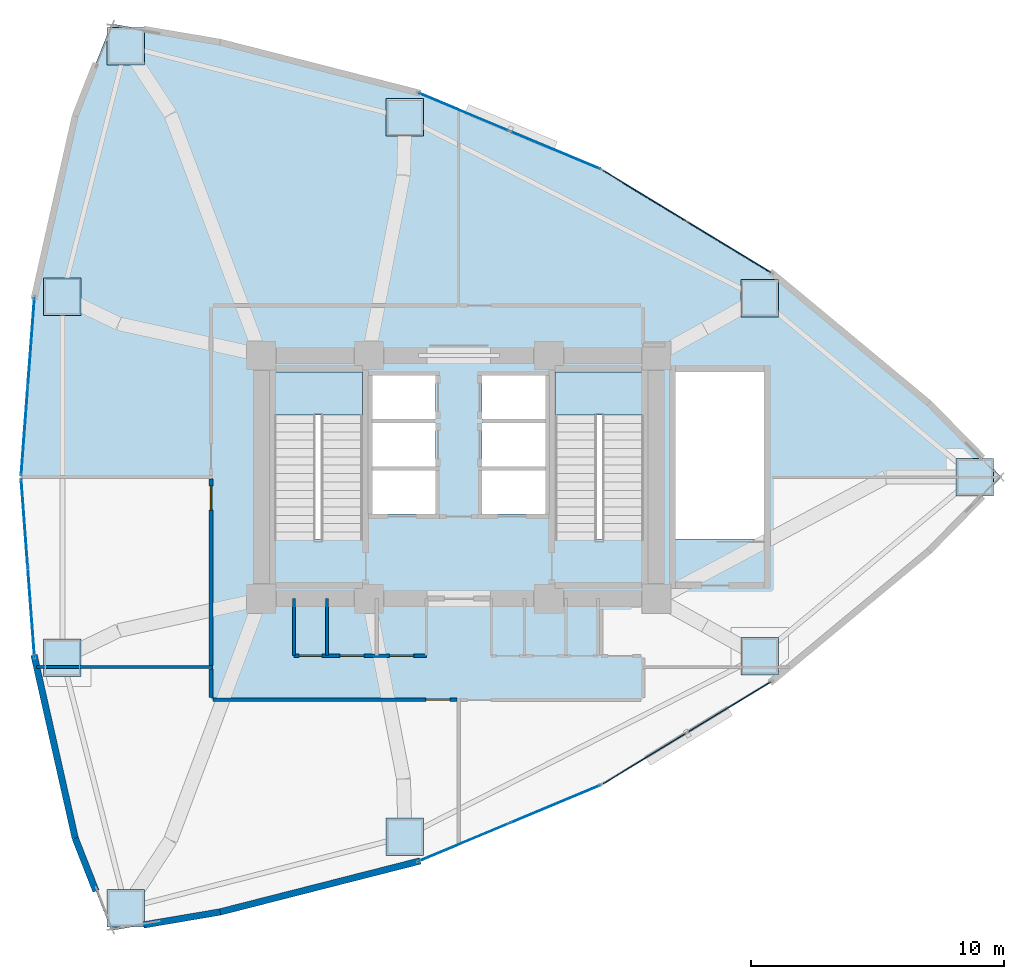
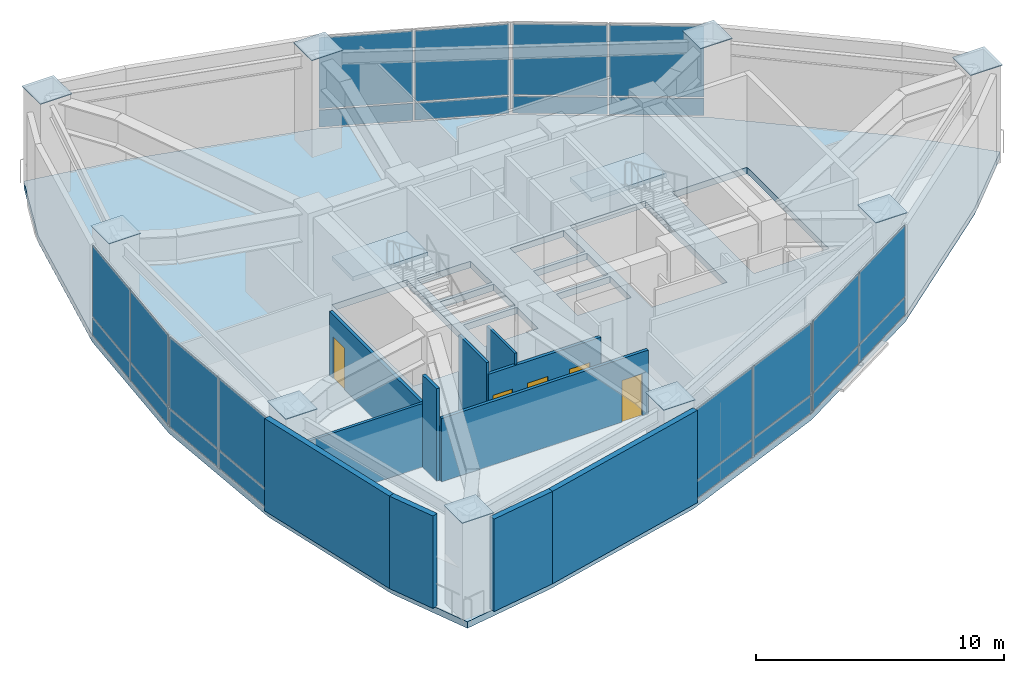
# One storey, part 15 of 19: 33 plates, 11 walls, 5 doors, 3 slabs, 5 openings, 8 elements without a shape of their own.
"""IFC4 building model written with IfcOpenShell, lengths in metres."""

from ifc_helpers import new_model, si_unit, direction, frame, frame_2d, origin, origin_2d, place, context, subcontext, project, spatial, polyline, rectangle, outline, extrude, material, layer, layer_set, type_object, element, fill, aggregate, save


model = new_model("IFC4")

# Units and contexts
model_context = context("Model", 3, precision=1e-05, world=origin(), true_north=direction((0.0, 1.0)))
body_context = subcontext(model_context, "Body", "Model", "MODEL_VIEW")
ifc_project = project(units=[si_unit("LENGTHUNIT", "METRE"), si_unit("AREAUNIT", "SQUARE_METRE"), si_unit("VOLUMEUNIT", "CUBIC_METRE"), si_unit("PLANEANGLEUNIT", "RADIAN"), si_unit("MASSUNIT", "GRAM", prefix="KILO")], contexts=[model_context])

# Site, building, storey
site_placement = place(None, origin())
site = spatial("IfcSite", under=ifc_project, at=site_placement, CompositionType="ELEMENT")
building_placement = place(site_placement, origin())
building = spatial("IfcBuilding", under=site, at=building_placement, Name="Menara Vayukalpa", CompositionType="ELEMENT")
storey_placement = place(building_placement, frame((0.0, 0.0, 22.800048828125)))
storey = spatial("IfcBuildingStorey", under=building, at=storey_placement, Name="L04", CompositionType="ELEMENT", Elevation=22.800048828125)

# Curtain wall, plates
ifc_material_1 = material(Name="Anodised Terracotta Aluminium Alloy 6063-T6", Category="masonry")
ifc_layer_1 = layer(ifc_material_1, 0.179931640625)
ifc_layer_set_1 = layer_set([ifc_layer_1], Name="Anodised Terracotta Aluminium Alloy 6063-T6")
curtain_wall_type = type_object("IfcCurtainWallType", Name="CW-CW1", PredefinedType="USERDEFINED", material=ifc_layer_set_1)
curtain_wall_1_placement = place(storey_placement, origin())
curtain_wall_1 = element("IfcCurtainWall", 1, at=curtain_wall_1_placement, inside=storey, type_object=curtain_wall_type, Name="L04 Podium Unitised Ribbon Curtain Wall CW1 04", ObjectType="UNITISED", PredefinedType="USERDEFINED")
ifc_material_2 = material(Name="Low-E Double Glazing", Category="glass")
ifc_layer_2 = layer(ifc_material_2, 0.035888671875)
ifc_layer_set_2 = layer_set([ifc_layer_2], Name="Low-E Double Glazing")
plate_type_1 = type_object("IfcPlateType", Name="CWP-CW1", PredefinedType="CURTAIN_PANEL", material=ifc_layer_set_2)
plate_1_placement = place(storey_placement, frame((36.274169921875, 31.083251953125, 0.074951171875), z_axis=(0.0, 0.0, 1.0), x_axis=(-0.854664994604, 0.519179879231, 0.0)))
plate_1 = element("IfcPlate", 2, at=plate_1_placement, type_object=plate_type_1, Name="CW1 panel 1.1", PredefinedType="CURTAIN_PANEL", context=body_context, shape_type="SweptSolid", body=[
    extrude(rectangle(XDim=3.825927734375, YDim=0.035888671875, at=origin_2d()), origin(), (0.0, 0.0, 1.0), 0.83740234375),
])
plate_2_placement = place(storey_placement, frame((36.274169921875, 31.083251953125, 0.9873046875), z_axis=(0.0, 0.0, 1.0), x_axis=(-0.854664994604, 0.519179879231, 0.0)))
plate_2 = element("IfcPlate", 3, at=plate_2_placement, type_object=plate_type_1, Name="CW1 panel 1.2", PredefinedType="CURTAIN_PANEL", context=body_context, shape_type="SweptSolid", body=[
    extrude(rectangle(XDim=3.825927734375, YDim=0.035888671875, at=origin_2d()), origin(), (0.0, 0.0, 1.0), 3.487548828125),
])
plate_3_placement = place(storey_placement, frame((32.940185546875, 33.1083984375, 0.074951171875), z_axis=(0.0, 0.0, 1.0), x_axis=(-0.854664994604, 0.519179879231, 0.0)))
plate_3 = element("IfcPlate", 4, at=plate_3_placement, type_object=plate_type_1, Name="CW1 panel 2.1", PredefinedType="CURTAIN_PANEL", context=body_context, shape_type="SweptSolid", body=[
    extrude(rectangle(XDim=3.825927734375, YDim=0.035888671875, at=origin_2d()), origin(), (0.0, 0.0, 1.0), 0.83740234375),
])
plate_4_placement = place(storey_placement, frame((32.940185546875, 33.1083984375, 0.9873046875), z_axis=(0.0, 0.0, 1.0), x_axis=(-0.854664994604, 0.519179879231, 0.0)))
plate_4 = element("IfcPlate", 5, at=plate_4_placement, type_object=plate_type_1, Name="CW1 panel 2.2", PredefinedType="CURTAIN_PANEL", context=body_context, shape_type="SweptSolid", body=[
    extrude(rectangle(XDim=3.825927734375, YDim=0.035888671875, at=origin_2d()), origin(), (0.0, 0.0, 1.0), 3.487548828125),
])
aggregate(curtain_wall_1, [plate_1, plate_2, plate_3, plate_4])

curtain_wall_2_placement = place(storey_placement, origin())
curtain_wall_2 = element("IfcCurtainWall", 6, at=curtain_wall_2_placement, inside=storey, type_object=curtain_wall_type, Name="L04 Podium Unitised Ribbon Curtain Wall CW1 05", ObjectType="UNITISED", PredefinedType="USERDEFINED")
plate_5_placement = place(storey_placement, frame((29.407470703125, 34.90771484375, 0.074951171875), z_axis=(0.0, 0.0, 1.0), x_axis=(-0.922544543499, 0.385890613077, 0.0)))
plate_5 = element("IfcPlate", 7, at=plate_5_placement, type_object=plate_type_1, Name="CW1 panel 1.1", PredefinedType="CURTAIN_PANEL", context=body_context, shape_type="SweptSolid", body=[
    extrude(rectangle(XDim=3.82568359375, YDim=0.035888671875, at=origin_2d()), origin(), (0.0, 0.0, 1.0), 0.83740234375),
])
plate_6_placement = place(storey_placement, frame((29.407470703125, 34.90771484375, 0.9873046875), z_axis=(0.0, 0.0, 1.0), x_axis=(-0.922544543499, 0.385890613077, 0.0)))
plate_6 = element("IfcPlate", 8, at=plate_6_placement, type_object=plate_type_1, Name="CW1 panel 1.2", PredefinedType="CURTAIN_PANEL", context=body_context, shape_type="SweptSolid", body=[
    extrude(rectangle(XDim=3.82568359375, YDim=0.035888671875, at=origin_2d()), origin(), (0.0, 0.0, 1.0), 3.487548828125),
])
plate_7_placement = place(storey_placement, frame((25.808837890625, 36.412841796875, 0.074951171875), z_axis=(0.0, 0.0, 1.0), x_axis=(-0.922544543499, 0.385890613077, 0.0)))
plate_7 = element("IfcPlate", 9, at=plate_7_placement, type_object=plate_type_1, Name="CW1 panel 2.1", PredefinedType="CURTAIN_PANEL", context=body_context, shape_type="SweptSolid", body=[
    extrude(rectangle(XDim=3.82568359375, YDim=0.035888671875, at=origin_2d()), origin(), (0.0, 0.0, 1.0), 0.83740234375),
])
plate_8_placement = place(storey_placement, frame((25.808837890625, 36.412841796875, 0.9873046875), z_axis=(0.0, 0.0, 1.0), x_axis=(-0.922544543499, 0.385890613077, 0.0)))
plate_8 = element("IfcPlate", 10, at=plate_8_placement, type_object=plate_type_1, Name="CW1 panel 2.2", PredefinedType="CURTAIN_PANEL", context=body_context, shape_type="SweptSolid", body=[
    extrude(rectangle(XDim=3.82568359375, YDim=0.035888671875, at=origin_2d()), origin(), (0.0, 0.0, 1.0), 3.487548828125),
])
aggregate(curtain_wall_2, [plate_5, plate_6, plate_7, plate_8])

curtain_wall_3_placement = place(storey_placement, origin())
curtain_wall_3 = element("IfcCurtainWall", 11, at=curtain_wall_3_placement, inside=storey, type_object=curtain_wall_type, Name="L04 Podium Unitised Ribbon Curtain Wall CW1 10", ObjectType="UNITISED", PredefinedType="USERDEFINED")
plate_9_placement = place(storey_placement, frame((8.717041015625, 27.327880859375, 0.074951171875), z_axis=(0.0, 0.0, 1.0), x_axis=(-0.074794468953, -0.997198970825, 0.0)))
plate_9 = element("IfcPlate", 12, at=plate_9_placement, type_object=plate_type_1, Name="CW1 panel 1.1", PredefinedType="CURTAIN_PANEL", context=body_context, shape_type="SweptSolid", body=[
    extrude(rectangle(XDim=3.4619140625, YDim=0.035888671875, at=origin_2d()), origin(), (0.0, 0.0, 1.0), 0.83740234375),
])
plate_10_placement = place(storey_placement, frame((8.717041015625, 27.327880859375, 0.9873046875), z_axis=(0.0, 0.0, 1.0), x_axis=(-0.074794468953, -0.997198970825, 0.0)))
plate_10 = element("IfcPlate", 13, at=plate_10_placement, type_object=plate_type_1, Name="CW1 panel 1.2", PredefinedType="CURTAIN_PANEL", context=body_context, shape_type="SweptSolid", body=[
    extrude(rectangle(XDim=3.4619140625, YDim=0.035888671875, at=origin_2d()), origin(), (0.0, 0.0, 1.0), 3.487548828125),
])
plate_11_placement = place(storey_placement, frame((8.452392578125, 23.801025390625, 0.074951171875), z_axis=(0.0, 0.0, 1.0), x_axis=(-0.074794468953, -0.997198970825, 0.0)))
plate_11 = element("IfcPlate", 14, at=plate_11_placement, type_object=plate_type_1, Name="CW1 panel 2.1", PredefinedType="CURTAIN_PANEL", context=body_context, shape_type="SweptSolid", body=[
    extrude(rectangle(XDim=3.4619140625, YDim=0.035888671875, at=origin_2d()), origin(), (0.0, 0.0, 1.0), 0.83740234375),
])
plate_12_placement = place(storey_placement, frame((8.452392578125, 23.801025390625, 0.9873046875), z_axis=(0.0, 0.0, 1.0), x_axis=(-0.074794468953, -0.997198970825, 0.0)))
plate_12 = element("IfcPlate", 15, at=plate_12_placement, type_object=plate_type_1, Name="CW1 panel 2.2", PredefinedType="CURTAIN_PANEL", context=body_context, shape_type="SweptSolid", body=[
    extrude(rectangle(XDim=3.4619140625, YDim=0.035888671875, at=origin_2d()), origin(), (0.0, 0.0, 1.0), 3.487548828125),
])
aggregate(curtain_wall_3, [plate_9, plate_10, plate_11, plate_12])

curtain_wall_4_placement = place(storey_placement, origin())
curtain_wall_4 = element("IfcCurtainWall", 16, at=curtain_wall_4_placement, inside=storey, type_object=curtain_wall_type, Name="L04 Podium Unitised Ribbon Curtain Wall CW1 11", ObjectType="UNITISED", PredefinedType="USERDEFINED")
plate_13_placement = place(storey_placement, frame((8.452392578125, 20.198974609375, 0.074951171875), z_axis=(0.0, 0.0, 1.0), x_axis=(0.074794468953, -0.997198970825, 0.0)))
plate_13 = element("IfcPlate", 17, at=plate_13_placement, type_object=plate_type_1, Name="CW1 panel 1.1", PredefinedType="CURTAIN_PANEL", context=body_context, shape_type="SweptSolid", body=[
    extrude(rectangle(XDim=3.4619140625, YDim=0.035888671875, at=origin_2d()), origin(), (0.0, 0.0, 1.0), 0.83740234375),
])
plate_14_placement = place(storey_placement, frame((8.452392578125, 20.198974609375, 0.9873046875), z_axis=(0.0, 0.0, 1.0), x_axis=(0.074794468953, -0.997198970825, 0.0)))
plate_14 = element("IfcPlate", 18, at=plate_14_placement, type_object=plate_type_1, Name="CW1 panel 1.2", PredefinedType="CURTAIN_PANEL", context=body_context, shape_type="SweptSolid", body=[
    extrude(rectangle(XDim=3.4619140625, YDim=0.035888671875, at=origin_2d()), origin(), (0.0, 0.0, 1.0), 3.487548828125),
])
plate_15_placement = place(storey_placement, frame((8.717041015625, 16.672119140625, 0.074951171875), z_axis=(0.0, 0.0, 1.0), x_axis=(0.074794468953, -0.997198970825, 0.0)))
plate_15 = element("IfcPlate", 19, at=plate_15_placement, type_object=plate_type_1, Name="CW1 panel 2.1", PredefinedType="CURTAIN_PANEL", context=body_context, shape_type="SweptSolid", body=[
    extrude(rectangle(XDim=3.4619140625, YDim=0.035888671875, at=origin_2d()), origin(), (0.0, 0.0, 1.0), 0.83740234375),
])
plate_16_placement = place(storey_placement, frame((8.717041015625, 16.672119140625, 0.9873046875), z_axis=(0.0, 0.0, 1.0), x_axis=(0.074794468953, -0.997198970825, 0.0)))
plate_16 = element("IfcPlate", 20, at=plate_16_placement, type_object=plate_type_1, Name="CW1 panel 2.2", PredefinedType="CURTAIN_PANEL", context=body_context, shape_type="SweptSolid", body=[
    extrude(rectangle(XDim=3.4619140625, YDim=0.035888671875, at=origin_2d()), origin(), (0.0, 0.0, 1.0), 3.487548828125),
])
aggregate(curtain_wall_4, [plate_13, plate_14, plate_15, plate_16])

curtain_wall_5_placement = place(storey_placement, origin())
curtain_wall_5 = element("IfcCurtainWall", 21, at=curtain_wall_5_placement, inside=storey, type_object=curtain_wall_type, Name="L04 Podium Unitised Ribbon Curtain Wall CW1 16", ObjectType="UNITISED", PredefinedType="USERDEFINED")
plate_17_placement = place(storey_placement, frame((25.808837890625, 7.587158203125, 0.074951171875), z_axis=(0.0, 0.0, 1.0), x_axis=(0.922544543499, 0.385890613077, 0.0)))
plate_17 = element("IfcPlate", 22, at=plate_17_placement, type_object=plate_type_1, Name="CW1 panel 1.1", PredefinedType="CURTAIN_PANEL", context=body_context, shape_type="SweptSolid", body=[
    extrude(rectangle(XDim=3.82568359375, YDim=0.035888671875, at=origin_2d()), origin(), (0.0, 0.0, 1.0), 0.83740234375),
])
plate_18_placement = place(storey_placement, frame((25.808837890625, 7.587158203125, 0.9873046875), z_axis=(0.0, 0.0, 1.0), x_axis=(0.922544543499, 0.385890613077, 0.0)))
plate_18 = element("IfcPlate", 23, at=plate_18_placement, type_object=plate_type_1, Name="CW1 panel 1.2", PredefinedType="CURTAIN_PANEL", context=body_context, shape_type="SweptSolid", body=[
    extrude(rectangle(XDim=3.82568359375, YDim=0.035888671875, at=origin_2d()), origin(), (0.0, 0.0, 1.0), 3.487548828125),
])
plate_19_placement = place(storey_placement, frame((29.407470703125, 9.09228515625, 0.074951171875), z_axis=(0.0, 0.0, 1.0), x_axis=(0.922544543499, 0.385890613077, 0.0)))
plate_19 = element("IfcPlate", 24, at=plate_19_placement, type_object=plate_type_1, Name="CW1 panel 2.1", PredefinedType="CURTAIN_PANEL", context=body_context, shape_type="SweptSolid", body=[
    extrude(rectangle(XDim=3.82568359375, YDim=0.035888671875, at=origin_2d()), origin(), (0.0, 0.0, 1.0), 0.83740234375),
])
plate_20_placement = place(storey_placement, frame((29.407470703125, 9.09228515625, 0.9873046875), z_axis=(0.0, 0.0, 1.0), x_axis=(0.922544543499, 0.385890613077, 0.0)))
plate_20 = element("IfcPlate", 25, at=plate_20_placement, type_object=plate_type_1, Name="CW1 panel 2.2", PredefinedType="CURTAIN_PANEL", context=body_context, shape_type="SweptSolid", body=[
    extrude(rectangle(XDim=3.82568359375, YDim=0.035888671875, at=origin_2d()), origin(), (0.0, 0.0, 1.0), 3.487548828125),
])
aggregate(curtain_wall_5, [plate_17, plate_18, plate_19, plate_20])

curtain_wall_6_placement = place(storey_placement, origin())
curtain_wall_6 = element("IfcCurtainWall", 26, at=curtain_wall_6_placement, inside=storey, type_object=curtain_wall_type, Name="L04 Podium Unitised Ribbon Curtain Wall CW1 17", ObjectType="UNITISED", PredefinedType="USERDEFINED")
plate_21_placement = place(storey_placement, frame((32.940185546875, 10.8916015625, 0.074951171875), z_axis=(0.0, 0.0, 1.0), x_axis=(0.854664994604, 0.519179879231, 0.0)))
plate_21 = element("IfcPlate", 27, at=plate_21_placement, type_object=plate_type_1, Name="CW1 panel 1.1", PredefinedType="CURTAIN_PANEL", context=body_context, shape_type="SweptSolid", body=[
    extrude(rectangle(XDim=3.825927734375, YDim=0.035888671875, at=origin_2d()), origin(), (0.0, 0.0, 1.0), 0.83740234375),
])
plate_22_placement = place(storey_placement, frame((32.940185546875, 10.8916015625, 0.9873046875), z_axis=(0.0, 0.0, 1.0), x_axis=(0.854664994604, 0.519179879231, 0.0)))
plate_22 = element("IfcPlate", 28, at=plate_22_placement, type_object=plate_type_1, Name="CW1 panel 1.2", PredefinedType="CURTAIN_PANEL", context=body_context, shape_type="SweptSolid", body=[
    extrude(rectangle(XDim=3.825927734375, YDim=0.035888671875, at=origin_2d()), origin(), (0.0, 0.0, 1.0), 3.487548828125),
])
plate_23_placement = place(storey_placement, frame((36.274169921875, 12.916748046875, 0.074951171875), z_axis=(0.0, 0.0, 1.0), x_axis=(0.854664994604, 0.519179879231, 0.0)))
plate_23 = element("IfcPlate", 29, at=plate_23_placement, type_object=plate_type_1, Name="CW1 panel 2.1", PredefinedType="CURTAIN_PANEL", context=body_context, shape_type="SweptSolid", body=[
    extrude(rectangle(XDim=3.825927734375, YDim=0.035888671875, at=origin_2d()), origin(), (0.0, 0.0, 1.0), 0.83740234375),
])
plate_24_placement = place(storey_placement, frame((36.274169921875, 12.916748046875, 0.9873046875), z_axis=(0.0, 0.0, 1.0), x_axis=(0.854664994604, 0.519179879231, 0.0)))
plate_24 = element("IfcPlate", 30, at=plate_24_placement, type_object=plate_type_1, Name="CW1 panel 2.2", PredefinedType="CURTAIN_PANEL", context=body_context, shape_type="SweptSolid", body=[
    extrude(rectangle(XDim=3.825927734375, YDim=0.035888671875, at=origin_2d()), origin(), (0.0, 0.0, 1.0), 3.487548828125),
])
aggregate(curtain_wall_6, [plate_21, plate_22, plate_23, plate_24])

# Plates
ifc_material_3 = material(Name="Steel S355", Category="steel")
ifc_layer_3 = layer(ifc_material_3, 0.034912109375)
ifc_layer_set_3 = layer_set([ifc_layer_3], Name="Steel S355")
plate_type_2 = type_object("IfcPlateType", Name="PLT-MCP1", PredefinedType="USERDEFINED", material=ifc_layer_set_3)
for number, where, z_axis, x_axis, name in (
    (31, (45.979248046875, 22.0, 4.7998046875), (0.0, 0.0, 1.0), (1.0, 0.0, 0.0), "L04 Perimeter Mega Column P01 Cap Plate"),
    (32, (37.47412109375, 29.07080078125, 4.7998046875), (0.0, 0.0, 1.0), (1.0, 0.0, 0.0), "L04 Perimeter Mega Column P02 Cap Plate"),
    (33, (23.4755859375, 36.19970703125, 4.7998046875), (0.0, 0.0, 1.0), (1.0, 0.0, 0.0), "L04 Perimeter Mega Column P03 Cap Plate"),
    (34, (12.46044921875, 39.01904296875, 4.7998046875), (0.0, 0.0, 1.0), (1.0, 0.0, 0.0), "L04 Perimeter Mega Column P04 Cap Plate"),
    (35, (9.951904296875, 29.12890625, 4.7998046875), (0.0, 0.0, 1.0), (1.0, 0.0, 0.0), "L04 Perimeter Mega Column P05 Cap Plate"),
    (36, (9.951904296875, 14.87109375, 4.7998046875), (0.0, 0.0, 1.0), (1.0, 0.0, 0.0), "L04 Perimeter Mega Column P06 Cap Plate"),
    (37, (12.46044921875, 4.98095703125, 4.7998046875), (0.0, 0.0, 1.0), (1.0, 0.0, 0.0), "L04 Perimeter Mega Column P07 Cap Plate"),
    (38, (23.4755859375, 7.80029296875, 4.7998046875), (0.0, 0.0, 1.0), (1.0, 0.0, 0.0), "L04 Perimeter Mega Column P08 Cap Plate"),
    (39, (37.47412109375, 14.92919921875, 4.7998046875), (0.0, 0.0, 1.0), (1.0, 0.0, 0.0), "L04 Perimeter Mega Column P09 Cap Plate"),
):
    element("IfcPlate", number, at=place(storey_placement, frame(where, z_axis=z_axis, x_axis=x_axis)), inside=storey, type_object=plate_type_2, Name=name, ObjectType="CAP_PLATE", PredefinedType="USERDEFINED", context=body_context, shape_type="SweptSolid", body=[
        extrude(rectangle(XDim=1.47998046875, YDim=1.47998046875, at=origin_2d()), origin(), (0.0, 0.0, 1.0), 0.034912109375),
    ])

# Slab
ifc_material_4 = material(Name="Concrete C45/55", Category="concrete")
ifc_layer_4 = layer(ifc_material_4, 0.320068359375)
ifc_layer_set_4 = layer_set([ifc_layer_4], Name="Concrete C45/55")
slab_type_1 = type_object("IfcSlabType", Name="SLB-FL320", PredefinedType="FLOOR", material=ifc_layer_set_4)
slab_1_placement = place(storey_placement, frame((0.0, 0.0, -0.320068359375)))
element("IfcSlab", 40, at=slab_1_placement, inside=storey, type_object=slab_type_1, Name="L04 Structural Floor Slab", PredefinedType="FLOOR", context=body_context, shape_type="SweptSolid", body=[
    extrude(outline(polyline([(44.17041015625, 19.088134765625), (47.029296875, 22.0), (44.17041015625, 24.911865234375), (37.97314453125, 30.051025390625), (31.2412109375, 34.140380859375), (23.974853515625, 37.179931640625), (16.173583984375, 39.169677734375), (11.885498046875, 39.8974609375), (10.4560546875, 36.2578125), (8.85205078125, 29.12890625), (8.3173828125, 22.0), (8.85205078125, 14.87109375), (10.4560546875, 7.7421875), (11.885498046875, 4.1025390625), (16.173583984375, 4.830322265625), (23.974853515625, 6.820068359375), (31.2412109375, 9.859619140625), (37.97314453125, 13.948974609375), (44.17041015625, 19.088134765625)]), holes=[polyline([(21.800048828125, 19.550048828125), (21.800048828125, 26.14990234375), (18.300048828125, 26.14990234375), (18.300048828125, 19.550048828125), (21.800048828125, 19.550048828125)]), polyline([(32.89990234375, 19.550048828125), (32.89990234375, 26.14990234375), (29.39990234375, 26.14990234375), (29.39990234375, 19.550048828125), (32.89990234375, 19.550048828125)]), polyline([(37.64990234375, 19.550048828125), (37.64990234375, 26.14990234375), (34.14990234375, 26.14990234375), (34.14990234375, 19.550048828125), (37.64990234375, 19.550048828125)]), polyline([(22.179931640625, 20.550048828125), (24.679931640625, 20.550048828125), (24.679931640625, 22.27001953125), (22.179931640625, 22.27001953125), (22.179931640625, 20.550048828125)]), polyline([(26.52001953125, 20.550048828125), (29.02001953125, 20.550048828125), (29.02001953125, 22.27001953125), (26.52001953125, 22.27001953125), (26.52001953125, 20.550048828125)]), polyline([(22.179931640625, 22.419921875), (24.679931640625, 22.419921875), (24.679931640625, 24.139892578125), (22.179931640625, 24.139892578125), (22.179931640625, 22.419921875)]), polyline([(22.179931640625, 24.2900390625), (24.679931640625, 24.2900390625), (24.679931640625, 26.010009765625), (22.179931640625, 26.010009765625), (22.179931640625, 24.2900390625)]), polyline([(26.52001953125, 24.2900390625), (29.02001953125, 24.2900390625), (29.02001953125, 26.010009765625), (26.52001953125, 26.010009765625), (26.52001953125, 24.2900390625)]), polyline([(26.52001953125, 22.419921875), (29.02001953125, 22.419921875), (29.02001953125, 24.139892578125), (26.52001953125, 24.139892578125), (26.52001953125, 22.419921875)])]), origin(), (0.0, 0.0, 1.0), 0.320068359375),
])

# Stair, slab
ifc_material_5 = material(Name="Precast Concrete C40/50", Category="concrete")
stair_type = type_object("IfcStairType", Name="STR-T01", PredefinedType="DOUBLE_RETURN_STAIR", material=ifc_material_5)
stair_1_placement = place(storey_placement, origin())
stair_1 = element("IfcStair", 41, at=stair_1_placement, inside=storey, type_object=stair_type, Name="L04 Core Exit Stair ST-1", PredefinedType="DOUBLE_RETURN_STAIR")
ifc_material_6 = material(Name="Precast Concrete C40/50", Category="concrete")
ifc_layer_5 = layer(ifc_material_6, 0.199951171875)
ifc_layer_set_5 = layer_set([ifc_layer_5], Name="Precast Concrete C40/50")
slab_type_2 = type_object("IfcSlabType", Name="SLB-LND200", PredefinedType="LANDING", material=ifc_layer_set_5)
slab_2_placement = place(storey_placement, frame((0.0, 0.0, 2.199951171875)))
slab_2 = element("IfcSlab", 42, at=slab_2_placement, type_object=slab_type_2, Name="ST-1 landing 1", PredefinedType="LANDING", context=body_context, shape_type="SweptSolid", body=[
    extrude(outline(polyline([(21.800048828125, 24.449951171875), (21.800048828125, 26.14990234375), (18.300048828125, 26.14990234375), (18.300048828125, 24.449951171875), (21.800048828125, 24.449951171875)])), origin(), (0.0, 0.0, 1.0), 0.199951171875),
])
aggregate(stair_1, [slab_2])

stair_2_placement = place(storey_placement, origin())
stair_2 = element("IfcStair", 43, at=stair_2_placement, inside=storey, type_object=stair_type, Name="L04 Core Exit Stair ST-2", PredefinedType="DOUBLE_RETURN_STAIR")
slab_3_placement = place(storey_placement, frame((0.0, 0.0, 2.199951171875)))
slab_3 = element("IfcSlab", 44, at=slab_3_placement, type_object=slab_type_2, Name="ST-2 landing 1", PredefinedType="LANDING", context=body_context, shape_type="SweptSolid", body=[
    extrude(outline(polyline([(32.89990234375, 24.449951171875), (32.89990234375, 26.14990234375), (29.39990234375, 26.14990234375), (29.39990234375, 24.449951171875), (32.89990234375, 24.449951171875)])), origin(), (0.0, 0.0, 1.0), 0.199951171875),
])
aggregate(stair_2, [slab_3])

# Walls
ifc_material_7 = material(Name="Insulated Precast Concrete C40/50", Category="concrete")
ifc_layer_6 = layer(ifc_material_7, 0.260009765625)
ifc_layer_set_6 = layer_set([ifc_layer_6], Name="Insulated Precast Concrete C40/50")
wall_type_1 = type_object("IfcWallType", Name="WAL-EXT260", PredefinedType="PARTITIONING", material=ifc_layer_set_6)
wall_1_placement = place(storey_placement, frame((10.4560546875, 7.7421875, 0.0), z_axis=(0.0, 0.0, 1.0), x_axis=(-0.219512195122, 0.975609756098, 0.0)))
element("IfcWall", 45, at=wall_1_placement, inside=storey, type_object=wall_type_1, Name="L04 Perimeter Terracotta Pier Wall 12", PredefinedType="PARTITIONING", context=body_context, shape_type="SweptSolid", body=[
    extrude(rectangle(XDim=7.417236328125, YDim=0.260009765625, at=frame_2d((3.70849609375, 0.0))), origin(), (0.0, 0.0, 1.0), 4.550048828125),
])
wall_2_placement = place(storey_placement, frame((11.27587890625, 5.654541015625, 0.0), z_axis=(0.0, 0.0, 1.0), x_axis=(-0.365527759733, 0.930800438797, 0.0)))
element("IfcWall", 46, at=wall_2_placement, inside=storey, type_object=wall_type_1, Name="L04 Perimeter Terracotta Pier Wall 13", PredefinedType="PARTITIONING", context=body_context, shape_type="SweptSolid", body=[
    extrude(rectangle(XDim=2.242919921875, YDim=0.260009765625, at=frame_2d((1.12158203125, 0.0))), origin(), (0.0, 0.0, 1.0), 4.550048828125),
])
wall_3_placement = place(storey_placement, frame((16.179443359375, 4.831298828125, 0.0), z_axis=(0.0, 0.0, 1.0), x_axis=(-0.985905166387, -0.167305119144, 0.0)))
element("IfcWall", 47, at=wall_3_placement, inside=storey, type_object=wall_type_1, Name="L04 Perimeter Terracotta Pier Wall 14", PredefinedType="PARTITIONING", context=body_context, shape_type="SweptSolid", body=[
    extrude(rectangle(XDim=3.064453125, YDim=0.260009765625, at=frame_2d((1.5322265625, 0.0))), origin(), (0.0, 0.0, 1.0), 4.550048828125),
])
wall_4_placement = place(storey_placement, frame((24.081298828125, 6.84716796875, 0.0), z_axis=(0.0, 0.0, 1.0), x_axis=(-0.968981557045, -0.247133045354, 0.0)))
element("IfcWall", 48, at=wall_4_placement, inside=storey, type_object=wall_type_1, Name="L04 Perimeter Terracotta Pier Wall 15", PredefinedType="PARTITIONING", context=body_context, shape_type="SweptSolid", body=[
    extrude(rectangle(XDim=8.1669921875, YDim=0.260009765625, at=frame_2d((4.08349609375, 0.0))), origin(), (0.0, 0.0, 1.0), 4.550048828125),
])
ifc_material_8 = material(Name="Acoustic Mineral Stud Partition", Category="masonry")
ifc_layer_7 = layer(ifc_material_8, 0.110107421875)
ifc_layer_set_7 = layer_set([ifc_layer_7], Name="Acoustic Mineral Stud Partition")
wall_type_2 = type_object("IfcWallType", Name="WAL-PT110", PredefinedType="PARTITIONING", material=ifc_layer_set_7)
wall_5_placement = place(storey_placement, frame((20.39990234375, 14.949951171875, 0.0), z_axis=(0.0, 0.0, 1.0), x_axis=(0.0, 1.0, 0.0)))
element("IfcWall", 49, at=wall_5_placement, inside=storey, type_object=wall_type_2, Name="L04 Interior Partition IW-L04-SVCD-02", PredefinedType="PARTITIONING", context=body_context, shape_type="SweptSolid", body=[
    extrude(rectangle(XDim=2.25, YDim=0.110107421875, at=frame_2d((1.125, 0.0))), origin(), (0.0, 0.0, 1.0), 3.679931640625),
])
ifc_material_9 = material(Name="Gypsum Drywall Steel Stud Assembly", Category="steel")
ifc_layer_8 = layer(ifc_material_9, 0.125)
ifc_layer_set_8 = layer_set([ifc_layer_8], Name="Gypsum Drywall Steel Stud Assembly")
wall_type_3 = type_object("IfcWallType", Name="WAL-PT125", PredefinedType="PARTITIONING", material=ifc_layer_set_8)
wall_6_placement = place(storey_placement, frame((19.10009765625, 14.949951171875, 0.0), z_axis=(0.0, 0.0, 1.0), x_axis=(0.0, 1.0, 0.0)))
element("IfcWall", 50, at=wall_6_placement, inside=storey, type_object=wall_type_3, Name="L04 Interior Partition IW-L04-SVCD-01", PredefinedType="PARTITIONING", context=body_context, shape_type="SweptSolid", body=[
    extrude(rectangle(XDim=2.25, YDim=0.125, at=frame_2d((1.125, 0.0))), origin(), (0.0, 0.0, 1.0), 3.679931640625),
])
wall_7_placement = place(storey_placement, frame((8.92529296875, 14.5, 0.0), z_axis=(0.0, 0.0, 1.0), x_axis=(1.0, 0.0, 0.0)))
element("IfcWall", 51, at=wall_7_placement, inside=storey, type_object=wall_type_3, Name="L04 Interior Partition IW-L04-RDIV03", PredefinedType="PARTITIONING", context=body_context, shape_type="SweptSolid", body=[
    extrude(rectangle(XDim=6.94482421875, YDim=0.125, at=frame_2d((3.472412109375, 0.0))), origin(), (0.0, 0.0, 1.0), 3.1298828125),
])

# Wall, openings, doors
ifc_material_10 = material(Name="Gypsum Drywall Acoustic Stud Assembly", Category="masonry")
ifc_layer_9 = layer(ifc_material_10, 0.14501953125)
ifc_layer_set_9 = layer_set([ifc_layer_9], Name="Gypsum Drywall Acoustic Stud Assembly")
wall_type_4 = type_object("IfcWallType", Name="WAL-PT150", PredefinedType="PARTITIONING", material=ifc_layer_set_9)
wall_8_placement = place(storey_placement, frame((19.10009765625, 14.949951171875, 0.0), z_axis=(0.0, 0.0, 1.0), x_axis=(1.0, 0.0, 0.0)))
wall_8 = element("IfcWall", 52, at=wall_8_placement, inside=storey, type_object=wall_type_4, Name="L04 Interior Partition IW-L04-SVCS-W", PredefinedType="PARTITIONING", context=body_context, shape_type="SweptSolid", body=[
    extrude(rectangle(XDim=5.219970703125, YDim=0.14501953125, at=frame_2d((2.60986328125, 0.0))), origin(), (0.0, 0.0, 1.0), 3.1298828125),
])
opening_1_placement = place(wall_8_placement, frame((0.199951171875, 0.0, 0.0)))
opening_1 = element("IfcOpeningElement", 53, at=opening_1_placement, cuts=wall_8, Name="Opening ID7", PredefinedType="OPENING", context=body_context, shape_type="SweptSolid", body=[
    extrude(rectangle(XDim=0.89990234375, YDim=2.02001953125, at=frame_2d((0.449951171875, 1.010009765625))), frame((0.0, 0.08251953125, 0.0), z_axis=(0.0, -1.0, 0.0), x_axis=(1.0, 0.0, 0.0)), (0.0, 0.0, 1.0), 0.1650390625),
])
opening_2_placement = place(wall_8_placement, frame((1.804931640625, 0.0, 0.0)))
opening_2 = element("IfcOpeningElement", 54, at=opening_2_placement, cuts=wall_8, Name="Opening ID5", PredefinedType="OPENING", context=body_context, shape_type="SweptSolid", body=[
    extrude(rectangle(XDim=0.949951171875, YDim=2.06005859375, at=frame_2d((0.47509765625, 1.030029296875))), frame((0.0, 0.08251953125, 0.0), z_axis=(0.0, -1.0, 0.0), x_axis=(1.0, 0.0, 0.0)), (0.0, 0.0, 1.0), 0.1650390625),
])
opening_3_placement = place(wall_8_placement, frame((3.764892578125, 0.0, 0.0)))
opening_3 = element("IfcOpeningElement", 55, at=opening_3_placement, cuts=wall_8, Name="Opening ID5", PredefinedType="OPENING", context=body_context, shape_type="SweptSolid", body=[
    extrude(rectangle(XDim=0.949951171875, YDim=2.06005859375, at=frame_2d((0.47509765625, 1.030029296875))), frame((0.0, 0.08251953125, 0.0), z_axis=(0.0, -1.0, 0.0), x_axis=(1.0, 0.0, 0.0)), (0.0, 0.0, 1.0), 0.1650390625),
])
ifc_material_11 = material(Name="Acoustic Hardwood Veneer Timber Door", Category="wood")
door_type_1 = type_object("IfcDoorType", Name="DR-INT95", OperationType="NOTDEFINED", PredefinedType="DOOR", material=ifc_material_11)
door_1_placement = place(opening_2_placement, origin())
door_1 = element("IfcDoor", 56, at=door_1_placement, inside=storey, type_object=door_type_1, Name="L04 Interior Door DR-L04-AWC", OperationType="SINGLE_SWING_LEFT", OverallHeight=2.06005859375, OverallWidth=0.949951171875, PredefinedType="DOOR", context=body_context, shape_type="SweptSolid", body=[
    extrude(rectangle(XDim=0.949951171875, YDim=2.06005859375, at=frame_2d((0.47509765625, 1.030029296875))), frame((0.0, 0.02490234375, 0.0), z_axis=(0.0, -1.0, 0.0), x_axis=(1.0, 0.0, 0.0)), (0.0, 0.0, 1.0), 0.050048828125),
])
fill(opening_2, door_1)
door_2_placement = place(opening_3_placement, origin())
door_2 = element("IfcDoor", 57, at=door_2_placement, inside=storey, type_object=door_type_1, Name="L04 Interior Door DR-L04-SWC", OperationType="SINGLE_SWING_RIGHT", OverallHeight=2.06005859375, OverallWidth=0.949951171875, PredefinedType="DOOR", context=body_context, shape_type="SweptSolid", body=[
    extrude(rectangle(XDim=0.949951171875, YDim=2.06005859375, at=frame_2d((0.47509765625, 1.030029296875))), frame((0.0, 0.02490234375, 0.0), z_axis=(0.0, -1.0, 0.0), x_axis=(1.0, 0.0, 0.0)), (0.0, 0.0, 1.0), 0.050048828125),
])
fill(opening_3, door_2)
ifc_material_12 = material(Name="Powder-Coated Steel Riser Access Door", Category="steel")
door_type_2 = type_object("IfcDoorType", Name="DR-RISER", OperationType="NOTDEFINED", PredefinedType="DOOR", material=ifc_material_12)
door_3_placement = place(opening_1_placement, origin())
door_3 = element("IfcDoor", 58, at=door_3_placement, inside=storey, type_object=door_type_2, Name="L04 Interior Door DR-L04-ELR", OperationType="SINGLE_SWING_RIGHT", OverallHeight=2.02001953125, OverallWidth=0.89990234375, PredefinedType="DOOR", context=body_context, shape_type="SweptSolid", body=[
    extrude(rectangle(XDim=0.89990234375, YDim=2.02001953125, at=frame_2d((0.449951171875, 1.010009765625))), frame((0.0, 0.02490234375, 0.0), z_axis=(0.0, -1.0, 0.0), x_axis=(1.0, 0.0, 0.0)), (0.0, 0.0, 1.0), 0.050048828125),
])
fill(opening_1, door_3)

# Wall, opening, door
wall_9_placement = place(storey_placement, frame((15.820068359375, 21.929931640625, 0.0), z_axis=(0.0, 0.0, 1.0), x_axis=(0.0, -1.0, 0.0)))
wall_9 = element("IfcWall", 59, at=wall_9_placement, inside=storey, type_object=wall_type_4, Name="L04 Interior Partition IW-L04-CRM01-1", PredefinedType="PARTITIONING", context=body_context, shape_type="SweptSolid", body=[
    extrude(rectangle(XDim=7.35986328125, YDim=0.14501953125, at=frame_2d((3.679931640625, 0.0))), origin(), (0.0, 0.0, 1.0), 3.1298828125),
])
opening_4_placement = place(wall_9_placement, frame((0.280029296875, 0.0, 0.0)))
opening_4 = element("IfcOpeningElement", 60, at=opening_4_placement, cuts=wall_9, Name="Opening ID5", PredefinedType="OPENING", context=body_context, shape_type="SweptSolid", body=[
    extrude(rectangle(XDim=0.949951171875, YDim=2.06005859375, at=frame_2d((0.47509765625, 1.030029296875))), frame((0.0, 0.08251953125, 0.0), z_axis=(0.0, -1.0, 0.0), x_axis=(1.0, 0.0, 0.0)), (0.0, 0.0, 1.0), 0.1650390625),
])
door_4_placement = place(opening_4_placement, origin())
door_4 = element("IfcDoor", 61, at=door_4_placement, inside=storey, type_object=door_type_1, Name="L04 Interior Door DR-L04-RM01", OperationType="SINGLE_SWING_RIGHT", OverallHeight=2.06005859375, OverallWidth=0.949951171875, PredefinedType="DOOR", context=body_context, shape_type="SweptSolid", body=[
    extrude(rectangle(XDim=0.949951171875, YDim=2.06005859375, at=frame_2d((0.47509765625, 1.030029296875))), frame((0.0, 0.02490234375, 0.0), z_axis=(0.0, -1.0, 0.0), x_axis=(1.0, 0.0, 0.0)), (0.0, 0.0, 1.0), 0.050048828125),
])
fill(opening_4, door_4)

# Wall
wall_10_placement = place(storey_placement, frame((15.820068359375, 14.429931640625, 0.0), z_axis=(0.0, 0.0, 1.0), x_axis=(0.0, -1.0, 0.0)))
element("IfcWall", 62, at=wall_10_placement, inside=storey, type_object=wall_type_4, Name="L04 Interior Partition IW-L04-CRM03-1", PredefinedType="PARTITIONING", context=body_context, shape_type="SweptSolid", body=[
    extrude(rectangle(XDim=1.139892578125, YDim=0.14501953125, at=frame_2d((0.56982421875, 0.0))), origin(), (0.0, 0.0, 1.0), 4.550048828125),
])

# Wall, opening, door
wall_11_placement = place(storey_placement, frame((15.89990234375, 13.2099609375, 0.0), z_axis=(0.0, 0.0, 1.0), x_axis=(1.0, 0.0, 0.0)))
wall_11 = element("IfcWall", 63, at=wall_11_placement, inside=storey, type_object=wall_type_4, Name="L04 Interior Partition IW-L04-CRM03-2", PredefinedType="PARTITIONING", context=body_context, shape_type="SweptSolid", body=[
    extrude(rectangle(XDim=9.630126953125, YDim=0.14501953125, at=frame_2d((4.81494140625, 0.0))), origin(), (0.0, 0.0, 1.0), 3.1298828125),
])
opening_5_placement = place(wall_11_placement, frame((8.39990234375, 0.0, 0.0)))
opening_5 = element("IfcOpeningElement", 64, at=opening_5_placement, cuts=wall_11, Name="Opening ID5", PredefinedType="OPENING", context=body_context, shape_type="SweptSolid", body=[
    extrude(rectangle(XDim=0.949951171875, YDim=2.06005859375, at=frame_2d((0.47509765625, 1.030029296875))), frame((0.0, 0.08251953125, 0.0), z_axis=(0.0, -1.0, 0.0), x_axis=(1.0, 0.0, 0.0)), (0.0, 0.0, 1.0), 0.1650390625),
])
door_5_placement = place(opening_5_placement, origin())
door_5 = element("IfcDoor", 65, at=door_5_placement, inside=storey, type_object=door_type_1, Name="L04 Interior Door DR-L04-RM03", OperationType="SINGLE_SWING_LEFT", OverallHeight=2.06005859375, OverallWidth=0.949951171875, PredefinedType="DOOR", context=body_context, shape_type="SweptSolid", body=[
    extrude(rectangle(XDim=0.949951171875, YDim=2.06005859375, at=frame_2d((0.47509765625, 1.030029296875))), frame((0.0, 0.02490234375, 0.0), z_axis=(0.0, -1.0, 0.0), x_axis=(1.0, 0.0, 0.0)), (0.0, 0.0, 1.0), 0.050048828125),
])
fill(opening_5, door_5)

save(model, "model.ifc")
